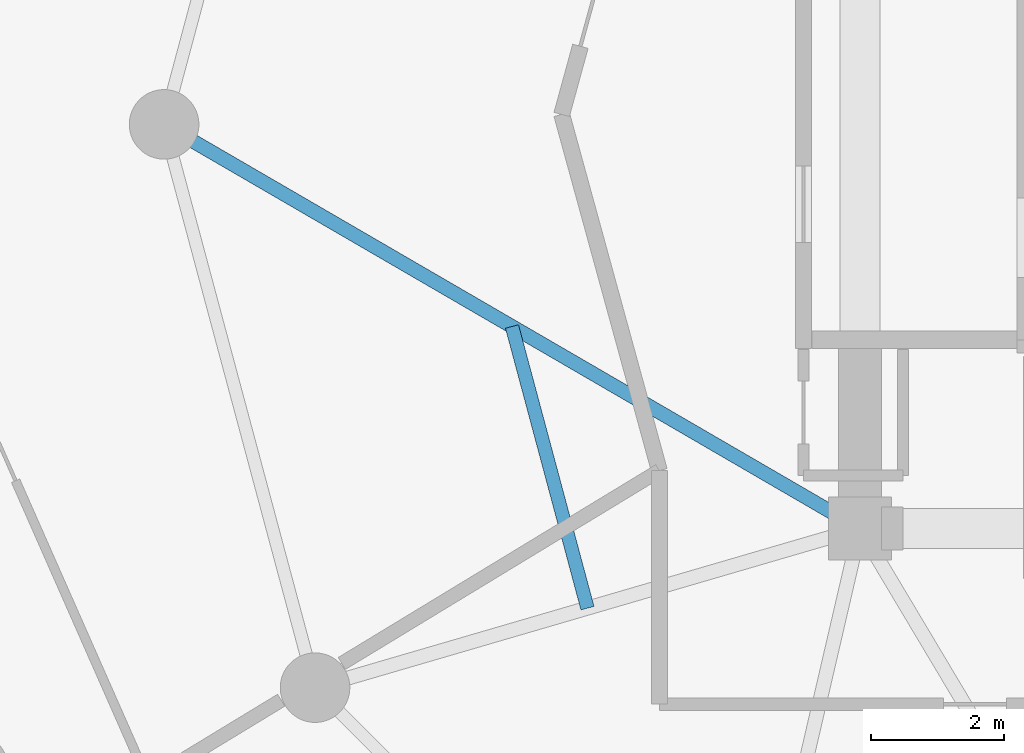
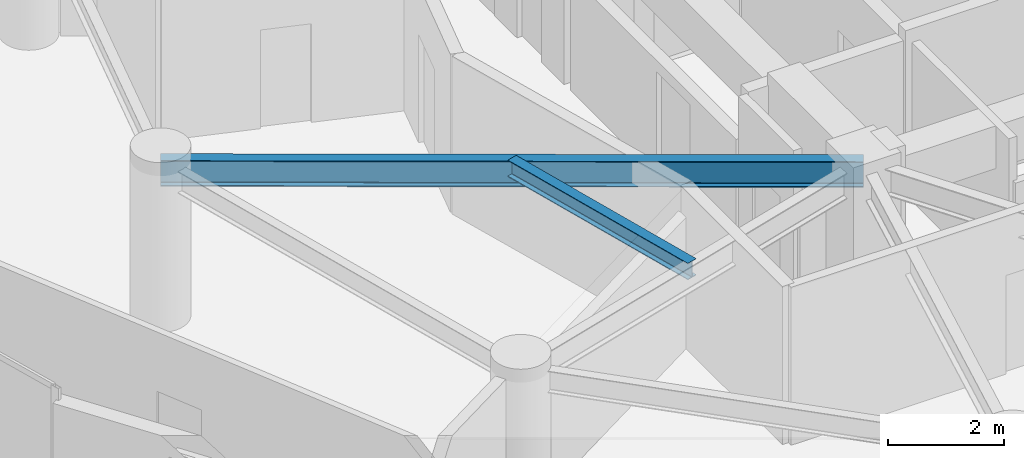
# One storey, part 6 of 25: 2 beams.
"""IFC4 building model written with IfcOpenShell, lengths in metres."""

from ifc_helpers import new_model, si_unit, direction, frame, origin, origin_2d, place, context, subcontext, project, spatial, i_section, extrude, material, material_profile, profile_set, type_object, element, save


model = new_model("IFC4")

# Units and contexts
model_context = context("Model", 3, precision=1e-05, world=origin(), true_north=direction((0.0, 1.0)))
body_context = subcontext(model_context, "Body", "Model", "MODEL_VIEW")
ifc_project = project(units=[si_unit("LENGTHUNIT", "METRE"), si_unit("AREAUNIT", "SQUARE_METRE"), si_unit("VOLUMEUNIT", "CUBIC_METRE"), si_unit("PLANEANGLEUNIT", "RADIAN"), si_unit("MASSUNIT", "GRAM", prefix="KILO")], contexts=[model_context])

# Site, building, storey
site_placement = place(None, origin())
site = spatial("IfcSite", under=ifc_project, at=site_placement, CompositionType="ELEMENT")
building_placement = place(site_placement, origin())
building = spatial("IfcBuilding", under=site, at=building_placement, Name="Solvirekh Grand Hotel", CompositionType="ELEMENT")
storey_placement = place(building_placement, frame((0.0, 0.0, 117.0)))
storey = spatial("IfcBuildingStorey", under=building, at=storey_placement, Name="L29", CompositionType="ELEMENT", Elevation=117.0)

# Beams
ifc_material = material(Name="Steel S355", Category="steel")
ifc_material_profile_1 = material_profile(ifc_material, i_section(OverallWidth=0.2119140625, OverallDepth=0.5439453125, WebThickness=0.011962890625, FlangeThickness=0.01904296875, FilletRadius=0.013916015625, at=origin_2d()), Name="W530X123")
ifc_profile_set_1 = profile_set([ifc_material_profile_1], Name="Steel S355")
beam_type_1 = type_object("IfcBeamType", Name="Beam_Radial_W530H", PredefinedType="BEAM", material=ifc_profile_set_1)
beam_1_placement = place(storey_placement, frame((-6.5, -6.10009765625, 3.077880859375), z_axis=(-0.864670076815, 0.50234018181, 0.0), x_axis=(-0.50234018181, -0.864670076815, 0.0)))
element("IfcBeam", 1, at=beam_1_placement, inside=storey, type_object=beam_type_1, Name="L29 radial floor beam R07", PredefinedType="BEAM", context=body_context, shape_type="SweptSolid", body=[
    extrude(i_section(OverallWidth=0.2119140625, OverallDepth=0.5439453125, WebThickness=0.011962890625, FlangeThickness=0.01904296875, FilletRadius=0.013916015625, at=origin_2d()), origin(), (0.0, 0.0, 1.0), 12.143310546875),
])
ifc_material_profile_2 = material_profile(ifc_material, i_section(OverallWidth=0.2041015625, OverallDepth=0.35009765625, WebThickness=0.009033203125, FlangeThickness=0.014892578125, FilletRadius=0.010986328125, at=origin_2d()), Name="W360X72")
ifc_profile_set_2 = profile_set([ifc_material_profile_2], Name="Steel S355")
beam_type_2 = type_object("IfcBeamType", Name="Joist_Floor_W360", PredefinedType="JOIST", material=ifc_profile_set_2)
beam_2_placement = place(storey_placement, frame((-11.75, -3.050048828125, 3.175048828125), z_axis=(0.258847024572, -0.965918328778, 0.0), x_axis=(0.965918328778, 0.258847024572, 0.0)))
element("IfcBeam", 2, at=beam_2_placement, inside=storey, type_object=beam_type_2, Name="L29 secondary composite floor joist 7", PredefinedType="JOIST", context=body_context, shape_type="SweptSolid", body=[
    extrude(i_section(OverallWidth=0.2041015625, OverallDepth=0.35009765625, WebThickness=0.009033203125, FlangeThickness=0.014892578125, FilletRadius=0.010986328125, at=origin_2d()), origin(), (0.0, 0.0, 1.0), 4.39990234375),
])

save(model, "model.ifc")
